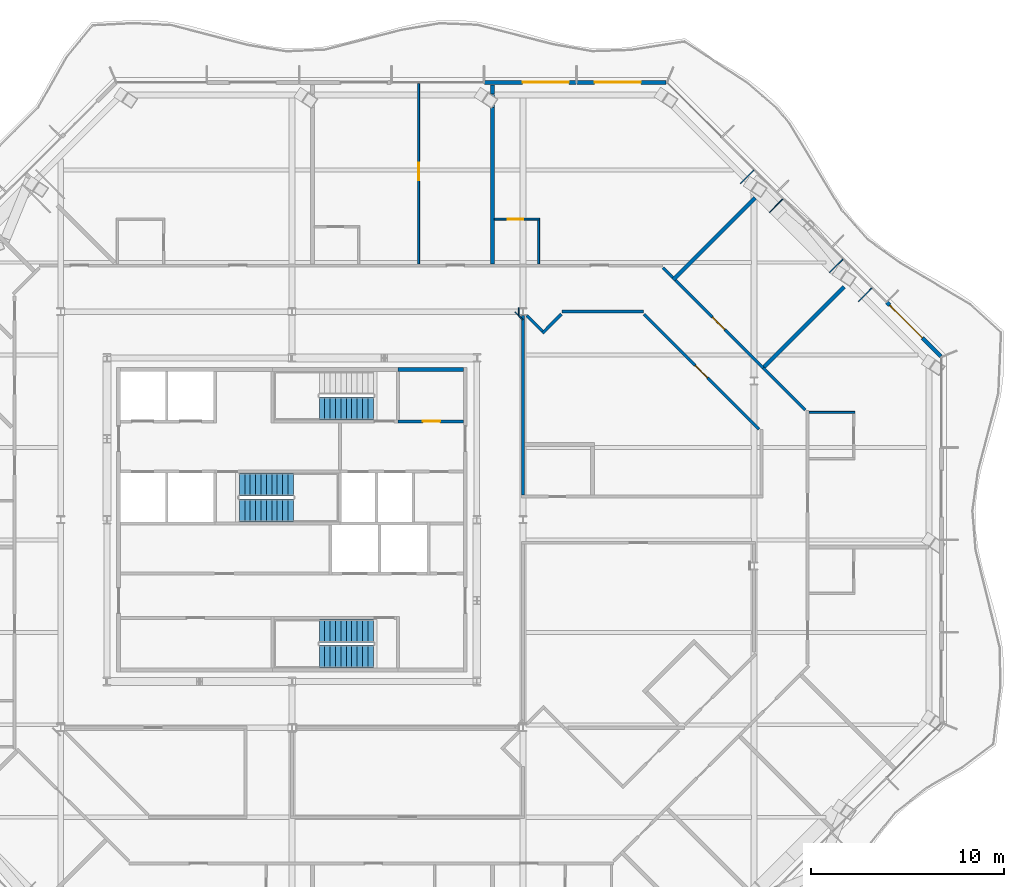
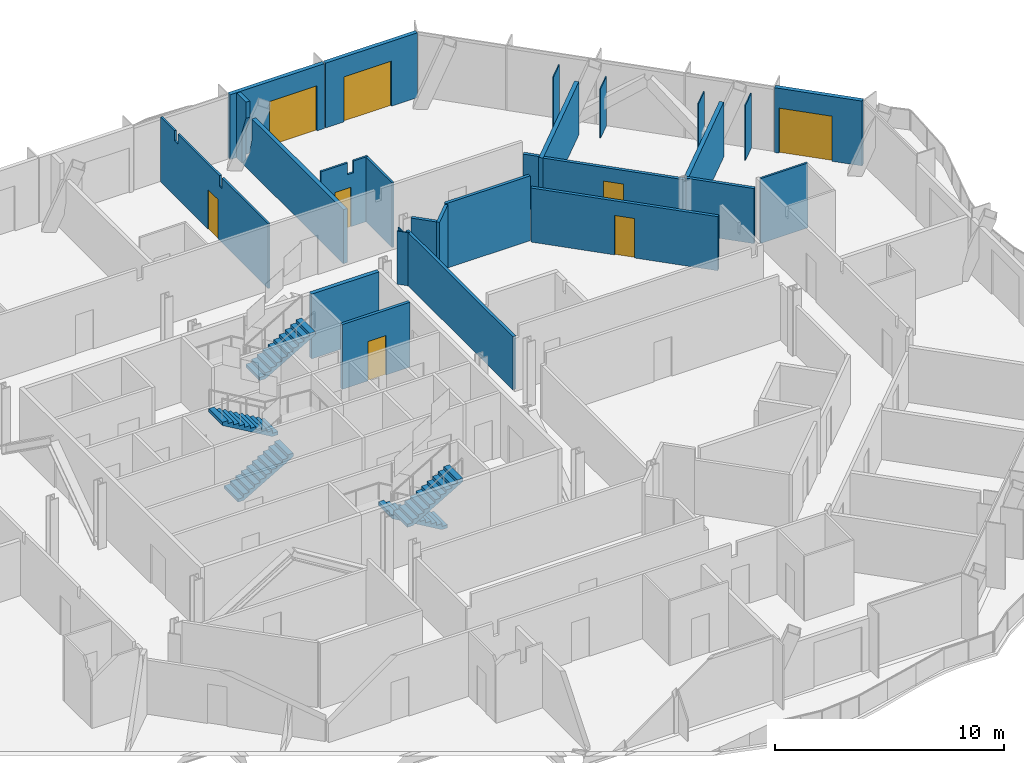
# One storey, part 12 of 19: 27 walls, 8 doors, 5 stair flights, 8 openings, 3 elements without a shape of their own.
"""IFC4 building model written with IfcOpenShell, lengths in metres."""

import ifcopenshell
import ifcopenshell.guid

model = None  # the IFC model being written
_history = None  # IfcOwnerHistory: only IFC2X3 demands one
_inside = {}  # id of a spatial element -> (the spatial element, [elements in it])
_under = {}  # id of a project, library or spatial element -> (it, [spatial elements below it])
_declared = {}  # id of a project -> (the project, [libraries it declares])
_typed = {}  # id of a type object -> (the type object, [elements of that type])
_made_of = {}  # id of a material, layer set ... -> (it, [elements and type objects made of it])


def new_model(schema):
    """Start an empty IFC model of exactly this schema.

    Asked for "IFC4X3", IfcOpenShell would pick the latest addendum, in which some entities
    have other attributes; the version numbers below select the first issue.
    IFC2X3 requires an IfcOwnerHistory on every rooted entity: one is made here for all.
    """
    global model, _history
    if schema == "IFC4X3":
        model = ifcopenshell.file(schema_version=(4, 3, 0, 0))
    else:
        model = ifcopenshell.file(schema=schema)
    _inside.clear()
    _under.clear()
    _declared.clear()
    _typed.clear()
    _made_of.clear()
    _history = None
    if model.schema == "IFC2X3":
        org = make("IfcOrganization", Name="unknown")
        user = make(
            "IfcPersonAndOrganization",
            ThePerson=make("IfcPerson", FamilyName="unknown"),
            TheOrganization=org,
        )
        app = make(
            "IfcApplication",
            ApplicationDeveloper=org,
            Version="unknown",
            ApplicationFullName="unknown",
            ApplicationIdentifier="unknown",
        )
        _history = make(
            "IfcOwnerHistory",
            OwningUser=user,
            OwningApplication=app,
            ChangeAction="ADDED",
            CreationDate=0,
        )
    return model


def make(cls, **values):
    """One entity of the class cls with the attributes given. An attribute that is None is left unset."""
    return model.create_entity(
        cls, **{name: value for name, value in values.items() if value is not None}
    )


def rooted(cls, **values):
    """An entity with a GlobalId (a new one), such as an element, a storey or a relation."""
    return make(cls, GlobalId=ifcopenshell.guid.new(), OwnerHistory=_history, **values)


def si_unit(unit_type, name, prefix=None):
    """IfcSIUnit, for example si_unit("LENGTHUNIT", "METRE", prefix="MILLI")."""
    return make("IfcSIUnit", UnitType=unit_type, Prefix=prefix, Name=name)


def assignment(units):
    """IfcUnitAssignment: the units of a project."""
    return None if units is None else make("IfcUnitAssignment", Units=units)


def point(xyz):
    """IfcCartesianPoint."""
    return None if xyz is None else make("IfcCartesianPoint", Coordinates=xyz)


def direction(xyz):
    """IfcDirection."""
    return None if xyz is None else make("IfcDirection", DirectionRatios=xyz)


def frame(location, z_axis=None, x_axis=None):
    """IfcAxis2Placement3D, a coordinate frame: its origin and axes. An axis left out is left unset."""
    return make(
        "IfcAxis2Placement3D",
        Location=point(location),
        Axis=direction(z_axis),
        RefDirection=direction(x_axis),
    )


def frame_2d(location, x_axis=None):
    """IfcAxis2Placement2D, a coordinate frame in the plane: its origin and x axis."""
    return make(
        "IfcAxis2Placement2D", Location=point(location), RefDirection=direction(x_axis)
    )


def origin():
    """The frame at (0, 0, 0) with its axes left unset."""
    return frame((0.0, 0.0, 0.0))


def place(relative_to, where):
    """IfcLocalPlacement: puts the frame where relative to a parent placement (None: the world)."""
    return make(
        "IfcLocalPlacement", PlacementRelTo=relative_to, RelativePlacement=where
    )


def context(
    kind, dimensions, precision=None, world=None, true_north=None, identifier=None
):
    """IfcGeometricRepresentationContext, for example the 3D "Model" context."""
    return make(
        "IfcGeometricRepresentationContext",
        ContextIdentifier=identifier,
        ContextType=kind,
        CoordinateSpaceDimension=dimensions,
        Precision=precision,
        WorldCoordinateSystem=world,
        TrueNorth=true_north,
    )


def subcontext(parent, identifier, kind, view, scale=None):
    """IfcGeometricRepresentationSubContext, for example "Body" below "Model"."""
    return make(
        "IfcGeometricRepresentationSubContext",
        ContextIdentifier=identifier,
        ContextType=kind,
        ParentContext=parent,
        TargetScale=scale,
        TargetView=view,
    )


def project(units=None, contexts=None):
    """IfcProject with its units and contexts."""
    return rooted(
        "IfcProject",
        Name="project",
        RepresentationContexts=contexts,
        UnitsInContext=assignment(units),
    )


def spatial(cls, under=None, at=None, **own):
    """A site, building, storey or space (cls), placed at a placement, below another one or the project."""
    s = rooted(cls, ObjectPlacement=at, **own)
    if under is not None:
        _under.setdefault(under.id(), (under, []))[1].append(s)
    return s


def polyline(points):
    """IfcPolyline through the points."""
    return make("IfcPolyline", Points=[point(p) for p in points])


def profile(cls, at=None, kind="AREA", **sizes):
    """A parametric profile (cls). Its sizes go by their IFC names, for example OverallWidth=200.0."""
    return make(cls, ProfileType=kind, Position=at, **sizes)


def rectangle(**sizes):
    """IfcRectangleProfileDef."""
    return profile("IfcRectangleProfileDef", **sizes)


def outline(outer, holes=None, kind="AREA"):
    """IfcArbitraryClosedProfileDef: a profile drawn as a closed curve; with holes, ...WithVoids."""
    if holes is None:
        return make("IfcArbitraryClosedProfileDef", ProfileType=kind, OuterCurve=outer)
    return make(
        "IfcArbitraryProfileDefWithVoids",
        ProfileType=kind,
        OuterCurve=outer,
        InnerCurves=holes,
    )


def extrude(swept, where, along, depth):
    """IfcExtrudedAreaSolid: the profile swept, set in the frame where, extruded along a direction by depth."""
    return make(
        "IfcExtrudedAreaSolid",
        SweptArea=swept,
        Position=where,
        ExtrudedDirection=direction(along),
        Depth=depth,
    )


def shape(context_of_items, identifier, shape_type, items):
    """IfcShapeRepresentation: the items that make up one representation, for example the "Body"."""
    return make(
        "IfcShapeRepresentation",
        ContextOfItems=context_of_items,
        RepresentationIdentifier=identifier,
        RepresentationType=shape_type,
        Items=items,
    )


def material(Name=None, Category=None):
    """IfcMaterial."""
    return make("IfcMaterial", Name=Name, Category=Category)


def layer(
    of_material, thickness, ventilated=None, Name=None, Category=None, Priority=None
):
    """IfcMaterialLayer: one layer of a wall or slab, of a material (None: an air gap)."""
    return make(
        "IfcMaterialLayer",
        Material=of_material,
        LayerThickness=thickness,
        IsVentilated=ventilated,
        Name=Name,
        Category=Category,
        Priority=Priority,
    )


def layer_set(layers, Name=None):
    """IfcMaterialLayerSet."""
    return make("IfcMaterialLayerSet", MaterialLayers=layers, LayerSetName=Name)


def made_of(thing, what):
    """Note that an element or type object is made of a material, layer set ...; save() writes the relation."""
    if what is not None:
        _made_of.setdefault(what.id(), (what, []))[1].append(thing)
    return thing


def type_object(cls, material=None, **own):
    """A type object (cls), such as IfcWallType, which elements share."""
    return made_of(rooted(cls, **own), material)


def element(
    cls,
    number,
    at=None,
    inside=None,
    cuts=None,
    type_object=None,
    material=None,
    context=None,
    identifier="Body",
    shape_type=None,
    held_by="IfcProductDefinitionShape",
    body=None,
    shapes=None,
    **own,
):
    """One element of the class cls, such as IfcWall. Its Tag is "e" and its number.

    at: its placement. inside: the storey or other place that contains it. cuts: it is an
    opening in that element (IfcRelVoidsElement). A single representation is given by context,
    identifier, shape_type and body (its items); several are given by shapes. held_by: the class
    of the entity that holds the representations. save() writes the other relations.
    """
    e = rooted(cls, Tag="e%d" % number, ObjectPlacement=at, **own)
    if body is not None:
        shapes = [shape(context, identifier, shape_type, body)]
    if shapes is not None:
        e.Representation = make(held_by, Representations=shapes)
    if inside is not None:
        _inside.setdefault(inside.id(), (inside, []))[1].append(e)
    if cuts is not None:
        rooted(
            "IfcRelVoidsElement", RelatingBuildingElement=cuts, RelatedOpeningElement=e
        )
    if type_object is not None:
        _typed.setdefault(type_object.id(), (type_object, []))[1].append(e)
    return made_of(e, material)


def fill(opening, filler):
    """IfcRelFillsElement: the door or window that sits in an opening."""
    return rooted(
        "IfcRelFillsElement",
        RelatingOpeningElement=opening,
        RelatedBuildingElement=filler,
    )


def aggregate(whole, parts):
    """IfcRelAggregates: a whole, such as a stair, and the parts it consists of."""
    return rooted("IfcRelAggregates", RelatingObject=whole, RelatedObjects=parts)


def save(model, path):
    """Write the relations noted so far, then the file.

    IfcRelAggregates (storeys below a building ...), IfcRelContainedInSpatialStructure (elements
    in a storey), IfcRelDefinesByType, IfcRelAssociatesMaterial and IfcRelDeclares: one each for
    every whole, place, type object, material and project.
    """
    for whole, parts in _under.values():
        aggregate(whole, parts)
    for where, things in _inside.values():
        rooted(
            "IfcRelContainedInSpatialStructure",
            RelatedElements=things,
            RelatingStructure=where,
        )
    for kind, things in _typed.values():
        rooted("IfcRelDefinesByType", RelatedObjects=things, RelatingType=kind)
    for what, things in _made_of.values():
        rooted("IfcRelAssociatesMaterial", RelatedObjects=things, RelatingMaterial=what)
    for by, libraries in _declared.values():
        rooted("IfcRelDeclares", RelatingContext=by, RelatedDefinitions=libraries)
    model.write(path)


model = new_model("IFC4")

# Units and contexts
model_context = context("Model", 3, precision=1e-05, world=origin(), true_north=direction((0.0, 1.0)))
body_context = subcontext(model_context, "Body", "Model", "MODEL_VIEW")
ifc_project = project(units=[si_unit("LENGTHUNIT", "METRE"), si_unit("AREAUNIT", "SQUARE_METRE"), si_unit("VOLUMEUNIT", "CUBIC_METRE"), si_unit("PLANEANGLEUNIT", "RADIAN"), si_unit("MASSUNIT", "GRAM", prefix="KILO")], contexts=[model_context])

# Site, building, storey
site_placement = place(None, origin())
site = spatial("IfcSite", under=ifc_project, at=site_placement, CompositionType="ELEMENT")
building_placement = place(site_placement, origin())
building = spatial("IfcBuilding", under=site, at=building_placement, Name="Cairn Pilgrim Tower", CompositionType="ELEMENT")
storey_placement = place(building_placement, frame((0.0, 0.0, 190.199951171875)))
storey = spatial("IfcBuildingStorey", under=building, at=storey_placement, Name="L48", CompositionType="ELEMENT", Elevation=190.199951171875)

# Wall, opening, door
ifc_material_1 = material(Name="Bronze anodised aluminium insulated sandwich panel with mineral wool fill", Category="aluminium")
ifc_layer_1 = layer(ifc_material_1, 0.199951171875)
ifc_layer_set_1 = layer_set([ifc_layer_1], Name="BRONZE INFILL FRAME WALL 200")
wall_type_1 = type_object("IfcWallType", Name="BRONZE INFILL FRAME WALL 200", PredefinedType="NOTDEFINED", material=ifc_layer_set_1)
wall_1_placement = place(storey_placement, frame((40.896728515625, 10.874755859375, 0.0), z_axis=(0.0, 0.0, 1.0), x_axis=(-0.707106781187, 0.707106781187, 0.0)))
wall_1 = element("IfcWall", 1, at=wall_1_placement, inside=storey, type_object=wall_type_1, Name="Bronze infill frame wall IW-NE1", PredefinedType="NOTDEFINED", context=body_context, shape_type="SweptSolid", body=[
    extrude(rectangle(XDim=3.961669921875, YDim=0.199951171875, at=frame_2d((1.98095703125, 0.0))), origin(), (0.0, 0.0, 1.0), 3.449951171875),
])
opening_1_placement = place(wall_1_placement, frame((1.361572265625, 0.0, 0.0)))
opening_1 = element("IfcOpeningElement", 2, at=opening_1_placement, cuts=wall_1, Name="Opening 4807B2", PredefinedType="OPENING", context=body_context, shape_type="SweptSolid", body=[
    extrude(rectangle(XDim=2.39990234375, YDim=2.39990234375, at=frame_2d((1.199951171875, 1.199951171875))), frame((0.0, 0.10986328125, 0.0), z_axis=(0.0, -1.0, 0.0), x_axis=(1.0, 0.0, 0.0)), (0.0, 0.0, 1.0), 0.219970703125),
])
ifc_material_2 = material(Name="Bronze anodised aluminium frame with tinted low-E glass", Category="aluminium")
door_type_1 = type_object("IfcDoorType", Name="BALCONY SLIDING DOOR 2400x2400", OperationType="DOUBLE_DOOR_SLIDING", PredefinedType="DOOR", material=ifc_material_2)
door_1_placement = place(opening_1_placement, origin())
door_1 = element("IfcDoor", 3, at=door_1_placement, inside=storey, type_object=door_type_1, Name="Balcony sliding door 4807B2", OperationType="SINGLE_SWING_LEFT", OverallHeight=2.39990234375, OverallWidth=2.39990234375, PredefinedType="DOOR", context=body_context, shape_type="SweptSolid", body=[
    extrude(rectangle(XDim=2.39990234375, YDim=2.39990234375, at=frame_2d((1.199951171875, 1.199951171875))), frame((0.0, 0.02490234375, 0.0), z_axis=(0.0, -1.0, 0.0), x_axis=(1.0, 0.0, 0.0)), (0.0, 0.0, 1.0), 0.050048828125),
])
fill(opening_1, door_1)

wall_2_placement = place(storey_placement, frame((26.63134765625, 25.10009765625, 0.0), z_axis=(0.0, 0.0, 1.0), x_axis=(-1.0, 0.0, 0.0)))
wall_2 = element("IfcWall", 4, at=wall_2_placement, inside=storey, type_object=wall_type_1, Name="Bronze infill frame wall IW-N1", PredefinedType="NOTDEFINED", context=body_context, shape_type="SweptSolid", body=[
    extrude(rectangle(XDim=4.62646484375, YDim=0.199951171875, at=frame_2d((2.313232421875, 0.0))), origin(), (0.0, 0.0, 1.0), 3.449951171875),
])
opening_2_placement = place(wall_2_placement, frame((1.308349609375, 0.0, 0.0)))
opening_2 = element("IfcOpeningElement", 5, at=opening_2_placement, cuts=wall_2, Name="Opening 4809B", PredefinedType="OPENING", context=body_context, shape_type="SweptSolid", body=[
    extrude(rectangle(XDim=2.39990234375, YDim=2.39990234375, at=frame_2d((1.199951171875, 1.199951171875))), frame((0.0, 0.10986328125, 0.0), z_axis=(0.0, -1.0, 0.0), x_axis=(1.0, 0.0, 0.0)), (0.0, 0.0, 1.0), 0.219970703125),
])
door_2_placement = place(opening_2_placement, origin())
door_2 = element("IfcDoor", 6, at=door_2_placement, inside=storey, type_object=door_type_1, Name="Balcony sliding door 4809B", OperationType="SINGLE_SWING_LEFT", OverallHeight=2.39990234375, OverallWidth=2.39990234375, PredefinedType="DOOR", context=body_context, shape_type="SweptSolid", body=[
    extrude(rectangle(XDim=2.39990234375, YDim=2.39990234375, at=frame_2d((1.199951171875, 1.199951171875))), frame((0.0, 0.02490234375, 0.0), z_axis=(0.0, -1.0, 0.0), x_axis=(1.0, 0.0, 0.0)), (0.0, 0.0, 1.0), 0.050048828125),
])
fill(opening_2, door_2)

wall_3_placement = place(storey_placement, frame((21.945068359375, 25.10009765625, 0.0), z_axis=(0.0, 0.0, 1.0), x_axis=(-1.0, 0.0, 0.0)))
wall_3 = element("IfcWall", 7, at=wall_3_placement, inside=storey, type_object=wall_type_1, Name="Bronze infill frame wall IW-N2", PredefinedType="NOTDEFINED", context=body_context, shape_type="SweptSolid", body=[
    extrude(rectangle(XDim=4.739990234375, YDim=0.199951171875, at=frame_2d((2.3701171875, 0.0))), origin(), (0.0, 0.0, 1.0), 3.449951171875),
])
opening_3_placement = place(wall_3_placement, frame((0.3701171875, 0.0, 0.0)))
opening_3 = element("IfcOpeningElement", 8, at=opening_3_placement, cuts=wall_3, Name="Opening 4809B2", PredefinedType="OPENING", context=body_context, shape_type="SweptSolid", body=[
    extrude(rectangle(XDim=2.39990234375, YDim=2.39990234375, at=frame_2d((1.199951171875, 1.199951171875))), frame((0.0, 0.10986328125, 0.0), z_axis=(0.0, -1.0, 0.0), x_axis=(1.0, 0.0, 0.0)), (0.0, 0.0, 1.0), 0.219970703125),
])
door_3_placement = place(opening_3_placement, origin())
door_3 = element("IfcDoor", 9, at=door_3_placement, inside=storey, type_object=door_type_1, Name="Balcony sliding door 4809B2", OperationType="SINGLE_SWING_LEFT", OverallHeight=2.39990234375, OverallWidth=2.39990234375, PredefinedType="DOOR", context=body_context, shape_type="SweptSolid", body=[
    extrude(rectangle(XDim=2.39990234375, YDim=2.39990234375, at=frame_2d((1.199951171875, 1.199951171875))), frame((0.0, 0.02490234375, 0.0), z_axis=(0.0, -1.0, 0.0), x_axis=(1.0, 0.0, 0.0)), (0.0, 0.0, 1.0), 0.050048828125),
])
fill(opening_3, door_3)

# Wall
ifc_material_3 = material(Name="Concrete C32/40", Category="concrete")
ifc_layer_2 = layer(ifc_material_3, 0.199951171875)
ifc_layer_set_2 = layer_set([ifc_layer_2], Name="CORE OUTER WALL 200 EI 120")
wall_type_2 = type_object("IfcWallType", Name="CORE OUTER WALL 200 EI 120", PredefinedType="SOLIDWALL", material=ifc_layer_set_2)
wall_4_placement = place(storey_placement, frame((12.699951171875, 10.199951171875, 0.0), z_axis=(0.0, 0.0, 1.0), x_axis=(1.0, 0.0, 0.0)))
element("IfcWall", 10, at=wall_4_placement, inside=storey, type_object=wall_type_2, Name="CW:L48:H12-3", PredefinedType="SOLIDWALL", context=body_context, shape_type="SweptSolid", body=[
    extrude(rectangle(XDim=3.400146484375, YDim=0.199951171875, at=frame_2d((1.7001953125, 0.0))), origin(), (0.0, 0.0, 1.0), 3.449951171875),
])

# Wall, opening, door
ifc_layer_3 = layer(ifc_material_3, 0.14990234375)
ifc_layer_set_3 = layer_set([ifc_layer_3], Name="CORE SHAFT WALL 150 EI 120")
wall_type_3 = type_object("IfcWallType", Name="CORE SHAFT WALL 150 EI 120", PredefinedType="SOLIDWALL", material=ifc_layer_set_3)
wall_5_placement = place(storey_placement, frame((12.699951171875, 7.5, 0.0), z_axis=(0.0, 0.0, 1.0), x_axis=(1.0, 0.0, 0.0)))
wall_5 = element("IfcWall", 11, at=wall_5_placement, inside=storey, type_object=wall_type_3, Name="CW:L48:H11-2", PredefinedType="SOLIDWALL", context=body_context, shape_type="SweptSolid", body=[
    extrude(rectangle(XDim=3.400146484375, YDim=0.14990234375, at=frame_2d((1.7001953125, 0.0))), origin(), (0.0, 0.0, 1.0), 3.449951171875),
])
opening_4_placement = place(wall_5_placement, frame((1.300048828125, 0.0, 0.0)))
opening_4 = element("IfcOpeningElement", 12, at=opening_4_placement, cuts=wall_5, Name="Opening RD-R4E", PredefinedType="OPENING", context=body_context, shape_type="SweptSolid", body=[
    extrude(rectangle(XDim=0.89990234375, YDim=2.10009765625, at=frame_2d((0.449951171875, 1.050048828125))), frame((0.0, 0.0849609375, 0.0), z_axis=(0.0, -1.0, 0.0), x_axis=(1.0, 0.0, 0.0)), (0.0, 0.0, 1.0), 0.169921875),
])
ifc_material_4 = material(Name="Painted steel", Category="steel")
door_type_2 = type_object("IfcDoorType", Name="SERVICE ROOM DOOR 900x2100", OperationType="SINGLE_SWING_LEFT", PredefinedType="DOOR", material=ifc_material_4)
door_4_placement = place(opening_4_placement, origin())
door_4 = element("IfcDoor", 13, at=door_4_placement, inside=storey, type_object=door_type_2, Name="RD-R4E", OperationType="SINGLE_SWING_RIGHT", OverallHeight=2.10009765625, OverallWidth=0.89990234375, PredefinedType="DOOR", context=body_context, shape_type="SweptSolid", body=[
    extrude(rectangle(XDim=0.89990234375, YDim=2.10009765625, at=frame_2d((0.449951171875, 1.050048828125))), frame((0.0, 0.02490234375, 0.0), z_axis=(0.0, -1.0, 0.0), x_axis=(1.0, 0.0, 0.0)), (0.0, 0.0, 1.0), 0.050048828125),
])
fill(opening_4, door_4)

# Wall
ifc_material_5 = material(Name="Gypsum partition")
ifc_layer_4 = layer(ifc_material_5, 0.10009765625)
ifc_layer_set_4 = layer_set([ifc_layer_4], Name="PARTITION 100 DRYWALL")
wall_type_4 = type_object("IfcWallType", Name="PARTITION 100 DRYWALL", PredefinedType="PARTITIONING", material=ifc_layer_set_4)
wall_6_placement = place(storey_placement, frame((34.050048828125, 7.968017578125, 0.0), z_axis=(0.0, 0.0, 1.0), x_axis=(1.0, 0.0, 0.0)))
element("IfcWall", 14, at=wall_6_placement, inside=storey, type_object=wall_type_4, Name="PARTITION W068", PredefinedType="PARTITIONING", context=body_context, shape_type="SweptSolid", body=[
    extrude(rectangle(XDim=2.375, YDim=0.10009765625, at=frame_2d((1.1875, 0.0))), origin(), (0.0, 0.0, 1.0), 3.449951171875),
])

# Wall, opening, door
wall_7_placement = place(storey_placement, frame((13.779052734375, 15.675048828125, 0.0), z_axis=(0.0, 0.0, 1.0), x_axis=(0.0, 1.0, 0.0)))
wall_7 = element("IfcWall", 15, at=wall_7_placement, inside=storey, type_object=wall_type_4, Name="PARTITION W087", PredefinedType="PARTITIONING", context=body_context, shape_type="SweptSolid", body=[
    extrude(outline(polyline([(0.0, 0.0), (9.3779296875, 0.0), (9.3779296875, 3.449951171875), (8.175048828125, 3.449951171875), (8.173095703125, 2.929931640625), (7.875, 2.929931640625), (7.873046875, 3.449951171875), (4.22998046875, 3.449951171875), (4.22802734375, 2.880126953125), (4.02001953125, 2.880126953125), (4.01806640625, 3.449951171875), (0.0, 3.449951171875), (0.0, 0.0)])), frame((0.0, 0.050048828125, 0.0), z_axis=(0.0, -1.0, 0.0), x_axis=(1.0, 0.0, 0.0)), (0.0, 0.0, 1.0), 0.10009765625),
])
opening_5_placement = place(wall_7_placement, frame((4.35009765625, 0.0, 0.0)))
opening_5 = element("IfcOpeningElement", 16, at=opening_5_placement, cuts=wall_7, Name="Opening 4810C", PredefinedType="OPENING", context=body_context, shape_type="SweptSolid", body=[
    extrude(rectangle(XDim=0.89990234375, YDim=2.10009765625, at=frame_2d((0.449951171875, 1.050048828125))), frame((0.0, 0.06005859375, 0.0), z_axis=(0.0, -1.0, 0.0), x_axis=(1.0, 0.0, 0.0)), (0.0, 0.0, 1.0), 0.1201171875),
])
ifc_material_6 = material(Name="Timber door leaf", Category="wood")
door_type_3 = type_object("IfcDoorType", Name="SERVICE DOOR 900x2100", OperationType="NOTDEFINED", PredefinedType="DOOR", material=ifc_material_6)
door_5_placement = place(opening_5_placement, frame((0.89990234375, 0.0, 0.0), z_axis=(0.0, 0.0, 1.0), x_axis=(-1.0, 0.0, 0.0)))
door_5 = element("IfcDoor", 17, at=door_5_placement, inside=storey, type_object=door_type_3, Name="DOOR 4810C", OperationType="SINGLE_SWING_LEFT", OverallHeight=2.10009765625, OverallWidth=0.89990234375, PredefinedType="DOOR", context=body_context, shape_type="SweptSolid", body=[
    extrude(rectangle(XDim=0.89990234375, YDim=2.10009765625, at=frame_2d((0.449951171875, 1.050048828125))), frame((0.0, 0.02490234375, 0.0), z_axis=(0.0, -1.0, 0.0), x_axis=(1.0, 0.0, 0.0)), (0.0, 0.0, 1.0), 0.050048828125),
])
fill(opening_5, door_5)

# Wall
wall_8_placement = place(storey_placement, frame((20.012939453125, 15.675048828125, 0.0), z_axis=(0.0, 0.0, 1.0), x_axis=(0.0, 1.0, 0.0)))
element("IfcWall", 18, at=wall_8_placement, inside=storey, type_object=wall_type_4, Name="PARTITION W089", PredefinedType="PARTITIONING", context=body_context, shape_type="SweptSolid", body=[
    extrude(rectangle(XDim=2.27490234375, YDim=0.10009765625, at=frame_2d((1.137451171875, 0.0))), origin(), (0.0, 0.0, 1.0), 3.449951171875),
])

# Wall, opening, door
wall_9_placement = place(storey_placement, frame((17.712890625, 18.0, 0.0), z_axis=(0.0, 0.0, 1.0), x_axis=(1.0, 0.0, 0.0)))
wall_9 = element("IfcWall", 19, at=wall_9_placement, inside=storey, type_object=wall_type_4, Name="PARTITION W092", PredefinedType="PARTITIONING", context=body_context, shape_type="SweptSolid", body=[
    extrude(outline(polyline([(0.0, 0.0), (2.35009765625, 0.0), (2.35009765625, 3.449951171875), (1.636962890625, 3.449951171875), (1.635009765625, 2.830078125), (1.3369140625, 2.830078125), (1.3349609375, 3.449951171875), (0.0, 3.449951171875), (0.0, 0.0)])), frame((0.0, 0.050048828125, 0.0), z_axis=(0.0, -1.0, 0.0), x_axis=(1.0, 0.0, 0.0)), (0.0, 0.0, 1.0), 0.10009765625),
])
opening_6_placement = place(wall_9_placement, frame((0.699951171875, 0.0, 0.0)))
opening_6 = element("IfcOpeningElement", 20, at=opening_6_placement, cuts=wall_9, Name="Opening 4809A", PredefinedType="OPENING", context=body_context, shape_type="SweptSolid", body=[
    extrude(rectangle(XDim=0.800048828125, YDim=2.10009765625, at=frame_2d((0.39990234375, 1.050048828125))), frame((0.0, 0.06005859375, 0.0), z_axis=(0.0, -1.0, 0.0), x_axis=(1.0, 0.0, 0.0)), (0.0, 0.0, 1.0), 0.1201171875),
])
door_type_4 = type_object("IfcDoorType", Name="WC DOOR 800x2100", OperationType="NOTDEFINED", PredefinedType="DOOR", material=ifc_material_6)
door_6_placement = place(opening_6_placement, origin())
door_6 = element("IfcDoor", 21, at=door_6_placement, inside=storey, type_object=door_type_4, Name="DOOR 4809A", OperationType="SINGLE_SWING_RIGHT", OverallHeight=2.10009765625, OverallWidth=0.800048828125, PredefinedType="DOOR", context=body_context, shape_type="SweptSolid", body=[
    extrude(rectangle(XDim=0.800048828125, YDim=2.10009765625, at=frame_2d((0.39990234375, 1.050048828125))), frame((0.0, 0.02490234375, 0.0), z_axis=(0.0, -1.0, 0.0), x_axis=(1.0, 0.0, 0.0)), (0.0, 0.0, 1.0), 0.050048828125),
])
fill(opening_6, door_6)

# Wall
ifc_layer_5 = layer(ifc_material_5, 0.14990234375)
ifc_layer_set_5 = layer_set([ifc_layer_5], Name="PARTITION 150 DRYWALL EI 60")
wall_type_5 = type_object("IfcWallType", Name="PARTITION 150 DRYWALL EI 60", PredefinedType="PARTITIONING", material=ifc_layer_set_5)
wall_10_placement = place(storey_placement, frame((19.199951171875, 3.675048828125, 0.0), z_axis=(0.0, 0.0, 1.0), x_axis=(0.0, 1.0, 0.0)))
element("IfcWall", 22, at=wall_10_placement, inside=storey, type_object=wall_type_5, Name="PARTITION W060", PredefinedType="PARTITIONING", context=body_context, shape_type="SweptSolid", body=[
    extrude(rectangle(XDim=9.328369140625, YDim=0.14990234375, at=frame_2d((4.6640625, 0.0))), origin(), (0.0, 0.0, 1.0), 2.830078125),
])

# Wall, opening, door
wall_11_placement = place(storey_placement, frame((31.447021484375, 7.10107421875, 0.0), z_axis=(0.0, 0.0, 1.0), x_axis=(-0.707106781187, 0.707106781187, 0.0)))
wall_11 = element("IfcWall", 23, at=wall_11_placement, inside=storey, type_object=wall_type_5, Name="PARTITION W066", PredefinedType="PARTITIONING", context=body_context, shape_type="SweptSolid", body=[
    extrude(rectangle(XDim=8.444091796875, YDim=0.14990234375, at=frame_2d((4.22216796875, 0.0))), origin(), (0.0, 0.0, 1.0), 2.880126953125),
])
opening_7_placement = place(wall_11_placement, frame((3.77197265625, 0.0, 0.0)))
opening_7 = element("IfcOpeningElement", 24, at=opening_7_placement, cuts=wall_11, Name="Opening 4824", PredefinedType="OPENING", context=body_context, shape_type="SweptSolid", body=[
    extrude(rectangle(XDim=0.89990234375, YDim=2.10009765625, at=frame_2d((0.449951171875, 1.050048828125))), frame((0.0, 0.0849609375, 0.0), z_axis=(0.0, -1.0, 0.0), x_axis=(1.0, 0.0, 0.0)), (0.0, 0.0, 1.0), 0.169921875),
])
door_type_5 = type_object("IfcDoorType", Name="SERVICE DOOR 900x2100 FD30S", OperationType="NOTDEFINED", PredefinedType="DOOR", material=ifc_material_6)
door_7_placement = place(opening_7_placement, origin())
door_7 = element("IfcDoor", 25, at=door_7_placement, inside=storey, type_object=door_type_5, Name="DOOR 4824", OperationType="SINGLE_SWING_RIGHT", OverallHeight=2.10009765625, OverallWidth=0.89990234375, PredefinedType="DOOR", context=body_context, shape_type="SweptSolid", body=[
    extrude(rectangle(XDim=0.89990234375, YDim=2.10009765625, at=frame_2d((0.449951171875, 1.050048828125))), frame((0.0, 0.02490234375, 0.0), z_axis=(0.0, -1.0, 0.0), x_axis=(1.0, 0.0, 0.0)), (0.0, 0.0, 1.0), 0.050048828125),
])
fill(opening_7, door_7)

# Wall
wall_12_placement = place(storey_placement, frame((33.846923828125, 8.095947265625, 0.0), z_axis=(0.0, 0.0, 1.0), x_axis=(-0.707067221659, 0.707146338501, 0.0)))
element("IfcWall", 26, at=wall_12_placement, inside=storey, type_object=wall_type_5, Name="PARTITION W069", PredefinedType="PARTITIONING", context=body_context, shape_type="SweptSolid", body=[
    extrude(rectangle(XDim=3.0859375, YDim=0.14990234375, at=frame_2d((1.54296875, 0.0))), origin(), (0.0, 0.0, 1.0), 2.929931640625),
])

# Wall, opening, door
wall_13_placement = place(storey_placement, frame((31.6650390625, 10.278076171875, 0.0), z_axis=(0.0, 0.0, 1.0), x_axis=(-0.707201548562, 0.707012001109, 0.0)))
wall_13 = element("IfcWall", 27, at=wall_13_placement, inside=storey, type_object=wall_type_5, Name="PARTITION W071", PredefinedType="PARTITIONING", context=body_context, shape_type="SweptSolid", body=[
    extrude(rectangle(XDim=6.440185546875, YDim=0.14990234375, at=frame_2d((3.22021484375, 0.0))), origin(), (0.0, 0.0, 1.0), 2.830078125),
])
opening_8_placement = place(wall_13_placement, frame((2.820068359375, 0.0, 0.0)))
opening_8 = element("IfcOpeningElement", 28, at=opening_8_placement, cuts=wall_13, Name="Opening 4808", PredefinedType="OPENING", context=body_context, shape_type="SweptSolid", body=[
    extrude(rectangle(XDim=0.89990234375, YDim=2.10009765625, at=frame_2d((0.449951171875, 1.050048828125))), frame((0.0, 0.0849609375, 0.0), z_axis=(0.0, -1.0, 0.0), x_axis=(1.0, 0.0, 0.0)), (0.0, 0.0, 1.0), 0.169921875),
])
door_8_placement = place(opening_8_placement, frame((0.89990234375, 0.0, 0.0), z_axis=(0.0, 0.0, 1.0), x_axis=(-1.0, 0.0, 0.0)))
door_8 = element("IfcDoor", 29, at=door_8_placement, inside=storey, type_object=door_type_5, Name="DOOR 4808", OperationType="SINGLE_SWING_RIGHT", OverallHeight=2.10009765625, OverallWidth=0.89990234375, PredefinedType="DOOR", context=body_context, shape_type="SweptSolid", body=[
    extrude(rectangle(XDim=0.89990234375, YDim=2.10009765625, at=frame_2d((0.449951171875, 1.050048828125))), frame((0.0, 0.02490234375, 0.0), z_axis=(0.0, -1.0, 0.0), x_axis=(1.0, 0.0, 0.0)), (0.0, 0.0, 1.0), 0.050048828125),
])
fill(opening_8, door_8)

# Walls
wall_14_placement = place(storey_placement, frame((20.2080078125, 12.0859375, 0.0), z_axis=(0.0, 0.0, 1.0), x_axis=(0.706756381459, 0.707457007363, 0.0)))
element("IfcWall", 30, at=wall_14_placement, inside=storey, type_object=wall_type_5, Name="PARTITION W073", PredefinedType="PARTITIONING", context=body_context, shape_type="SweptSolid", body=[
    extrude(rectangle(XDim=1.393798828125, YDim=0.14990234375, at=frame_2d((0.69677734375, 0.0))), origin(), (0.0, 0.0, 1.0), 3.449951171875),
])
wall_15_placement = place(storey_placement, frame((20.2080078125, 12.192138671875, 0.0), z_axis=(0.0, 0.0, 1.0), x_axis=(-0.70721334539, 0.707000200921, 0.0)))
element("IfcWall", 31, at=wall_15_placement, inside=storey, type_object=wall_type_5, Name="PARTITION W074", PredefinedType="PARTITIONING", context=body_context, shape_type="SweptSolid", body=[
    extrude(rectangle(XDim=1.1455078125, YDim=0.14990234375, at=frame_2d((0.57275390625, 0.0))), origin(), (0.0, 0.0, 1.0), 3.449951171875),
])
wall_16_placement = place(storey_placement, frame((21.215087890625, 13.199951171875, 0.0), z_axis=(0.0, 0.0, 1.0), x_axis=(1.0, 0.0, 0.0)))
element("IfcWall", 32, at=wall_16_placement, inside=storey, type_object=wall_type_5, Name="PARTITION W075", PredefinedType="PARTITIONING", context=body_context, shape_type="SweptSolid", body=[
    extrude(rectangle(XDim=4.239013671875, YDim=0.14990234375, at=frame_2d((2.11962890625, 0.0))), origin(), (0.0, 0.0, 1.0), 3.449951171875),
])
wall_17_placement = place(storey_placement, frame((26.96923828125, 14.972900390625, 0.0), z_axis=(0.0, 0.0, 1.0), x_axis=(-0.706760584538, 0.707452808421, 0.0)))
element("IfcWall", 33, at=wall_17_placement, inside=storey, type_object=wall_type_5, Name="PARTITION W078", PredefinedType="PARTITIONING", context=body_context, shape_type="SweptSolid", body=[
    extrude(rectangle(XDim=0.705322265625, YDim=0.14990234375, at=frame_2d((0.3525390625, 0.0))), origin(), (0.0, 0.0, 1.0), 2.880126953125),
])
ifc_layer_6 = layer(ifc_material_5, 0.050048828125)
ifc_layer_set_6 = layer_set([ifc_layer_6], Name="PARTITION 50 DRYWALL EI 60")
wall_type_6 = type_object("IfcWallType", Name="PARTITION 50 DRYWALL EI 60", PredefinedType="PARTITIONING", material=ifc_layer_set_6)
wall_18_placement = place(storey_placement, frame((18.9755859375, 13.00341796875, 0.0), z_axis=(0.0, 0.0, 1.0), x_axis=(0.0, 1.0, 0.0)))
element("IfcWall", 34, at=wall_18_placement, inside=storey, type_object=wall_type_6, Name="COLUMN CASING WC15", PredefinedType="PARTITIONING", context=body_context, shape_type="SweptSolid", body=[
    extrude(rectangle(XDim=0.39306640625, YDim=0.050048828125, at=frame_2d((0.196533203125, 0.0))), origin(), (0.0, 0.0, 1.0), 2.830078125),
])
wall_19_placement = place(storey_placement, frame((35.11669921875, 15.23046875, 0.0), z_axis=(0.0, 0.0, 1.0), x_axis=(0.707106781187, 0.707106781187, 0.0)))
element("IfcWall", 35, at=wall_19_placement, inside=storey, type_object=wall_type_6, Name="COLUMN CASING WC16", PredefinedType="PARTITIONING", context=body_context, shape_type="SweptSolid", body=[
    extrude(rectangle(XDim=0.979248046875, YDim=0.050048828125, at=frame_2d((0.48974609375, 0.0))), origin(), (0.0, 0.0, 1.0), 2.630126953125),
])
wall_20_placement = place(storey_placement, frame((36.6171875, 13.72998046875, 0.0), z_axis=(0.0, 0.0, 1.0), x_axis=(0.706982125961, 0.70723141444, 0.0)))
element("IfcWall", 36, at=wall_20_placement, inside=storey, type_object=wall_type_6, Name="COLUMN CASING WC17", PredefinedType="PARTITIONING", context=body_context, shape_type="SweptSolid", body=[
    extrude(rectangle(XDim=0.979248046875, YDim=0.050048828125, at=frame_2d((0.48974609375, 0.0))), origin(), (0.0, 0.0, 1.0), 2.929931640625),
])
wall_21_placement = place(storey_placement, frame((19.182373046875, 12.786376953125, 0.0), z_axis=(0.0, 0.0, 1.0), x_axis=(-0.707106781187, 0.707106781187, 0.0)))
element("IfcWall", 37, at=wall_21_placement, inside=storey, type_object=wall_type_6, Name="COLUMN CASING WC20", PredefinedType="PARTITIONING", context=body_context, shape_type="SweptSolid", body=[
    extrude(rectangle(XDim=0.56005859375, YDim=0.050048828125, at=frame_2d((0.280029296875, 0.0))), origin(), (0.0, 0.0, 1.0), 2.830078125),
])
wall_22_placement = place(storey_placement, frame((30.492431640625, 19.854736328125, 0.0), z_axis=(0.0, 0.0, 1.0), x_axis=(0.70723141444, 0.706982125961, 0.0)))
element("IfcWall", 38, at=wall_22_placement, inside=storey, type_object=wall_type_6, Name="COLUMN CASING WC21", PredefinedType="PARTITIONING", context=body_context, shape_type="SweptSolid", body=[
    extrude(rectangle(XDim=0.979248046875, YDim=0.050048828125, at=frame_2d((0.48974609375, 0.0))), origin(), (0.0, 0.0, 1.0), 2.880126953125),
])
wall_23_placement = place(storey_placement, frame((31.992919921875, 18.354248046875, 0.0), z_axis=(0.0, 0.0, 1.0), x_axis=(0.70723141444, 0.706982125961, 0.0)))
element("IfcWall", 39, at=wall_23_placement, inside=storey, type_object=wall_type_6, Name="COLUMN CASING WC22", PredefinedType="PARTITIONING", context=body_context, shape_type="SweptSolid", body=[
    extrude(rectangle(XDim=0.979248046875, YDim=0.050048828125, at=frame_2d((0.48974609375, 0.0))), origin(), (0.0, 0.0, 1.0), 2.630126953125),
])
ifc_layer_7 = layer(ifc_material_5, 0.199951171875)
ifc_layer_set_7 = layer_set([ifc_layer_7], Name="SHAFT WALL 200 GYPSUM EI 60")
wall_type_7 = type_object("IfcWallType", Name="SHAFT WALL 200 GYPSUM EI 60", PredefinedType="PARTITIONING", material=ifc_layer_set_7)
wall_24_placement = place(storey_placement, frame((31.718017578125, 10.3310546875, 0.0), z_axis=(0.0, 0.0, 1.0), x_axis=(0.707127584869, 0.707085976892, 0.0)))
element("IfcWall", 40, at=wall_24_placement, inside=storey, type_object=wall_type_7, Name="PARTITION W070", PredefinedType="PARTITIONING", context=body_context, shape_type="SweptSolid", body=[
    extrude(rectangle(XDim=5.86767578125, YDim=0.199951171875, at=frame_2d((2.933837890625, 0.0))), origin(), (0.0, 0.0, 1.0), 2.929931640625),
])
wall_25_placement = place(storey_placement, frame((26.987060546875, 14.84912109375, 0.0), z_axis=(0.0, 0.0, 1.0), x_axis=(0.707167629385, 0.707045927751, 0.0)))
element("IfcWall", 41, at=wall_25_placement, inside=storey, type_object=wall_type_7, Name="PARTITION W077", PredefinedType="PARTITIONING", context=body_context, shape_type="SweptSolid", body=[
    extrude(rectangle(XDim=6.01806640625, YDim=0.199951171875, at=frame_2d((3.009033203125, 0.0))), origin(), (0.0, 0.0, 1.0), 2.830078125),
])
wall_26_placement = place(storey_placement, frame((17.613037109375, 15.675048828125, 0.0), z_axis=(0.0, 0.0, 1.0), x_axis=(0.0, 1.0, 0.0)))
element("IfcWall", 42, at=wall_26_placement, inside=storey, type_object=wall_type_7, Name="PARTITION W088", PredefinedType="PARTITIONING", context=body_context, shape_type="SweptSolid", body=[
    extrude(outline(polyline([(0.0, 0.0), (8.789306640625, 0.0), (8.205078125, 0.862548828125), (7.972900390625, 1.72509765625), (7.972900390625, 2.587646484375), (7.972900390625, 2.880126953125), (0.0, 2.880126953125), (0.0, 2.587646484375), (0.0, 1.72509765625), (0.0, 0.862548828125), (0.0, 0.0)])), frame((0.0, 0.10009765625, 0.0), z_axis=(0.0, -1.0, 0.0), x_axis=(1.0, 0.0, 0.0)), (0.0, 0.0, 1.0), 0.199951171875),
])
wall_27_placement = place(storey_placement, frame((17.613037109375, 24.167724609375, 0.0), z_axis=(0.0, 0.0, 1.0), x_axis=(0.0, 1.0, 0.0)))
element("IfcWall", 43, at=wall_27_placement, inside=storey, type_object=wall_type_7, Name="PARTITION W095", PredefinedType="PARTITIONING", context=body_context, shape_type="SweptSolid", body=[
    extrude(outline(polyline([(0.334716796875, 0.0), (0.80224609375, 0.0), (0.80224609375, 0.862548828125), (0.80224609375, 1.72509765625), (0.80224609375, 2.587646484375), (0.80224609375, 3.449951171875), (0.0, 3.449951171875), (0.0, 2.587646484375), (0.319091796875, 1.72509765625), (0.334716796875, 0.862548828125), (0.334716796875, 0.0)])), frame((0.0, 0.10009765625, 0.0), z_axis=(0.0, -1.0, 0.0), x_axis=(1.0, 0.0, 0.0)), (0.0, 0.0, 1.0), 0.199951171875),
])

# Stair, stair flights
stair_type = type_object("IfcStairType", Name="EXIT STAIR 1200", PredefinedType="HALF_TURN_STAIR", material=ifc_material_3)
stair_1_placement = place(storey_placement, origin())
stair_1 = element("IfcStair", 44, at=stair_1_placement, inside=storey, type_object=stair_type, Name="L48 Exit Stair A", PredefinedType="HALF_TURN_STAIR")
stair_flight_type = type_object("IfcStairFlightType", Name="STAIR FLIGHT 1200", PredefinedType="STRAIGHT", material=ifc_material_3)
stair_flight_1_placement = place(storey_placement, frame((11.425048828125, -3.375, 0.0), z_axis=(0.0, 0.0, 1.0), x_axis=(-1.0, 0.0, 0.0)))
stair_flight_1 = element("IfcStairFlight", 45, at=stair_flight_1_placement, type_object=stair_flight_type, Name="ST-A flight 1", NumberOfRisers=11, NumberOfTreads=10, PredefinedType="STRAIGHT", RiserHeight=0.163636364, TreadLength=0.28, context=body_context, shape_type="SweptSolid", body=[
    extrude(outline(polyline([(0.0, 0.0), (0.0, 0.16357421875), (0.280029296875, 0.16357421875), (0.280029296875, 0.327392578125), (0.56005859375, 0.327392578125), (0.56005859375, 0.490966796875), (0.840087890625, 0.490966796875), (0.840087890625, 0.654541015625), (1.1201171875, 0.654541015625), (1.1201171875, 0.818115234375), (1.39990234375, 0.818115234375), (1.39990234375, 0.98193359375), (1.679931640625, 0.98193359375), (1.679931640625, 1.1455078125), (1.9599609375, 1.1455078125), (1.9599609375, 1.30908203125), (2.239990234375, 1.30908203125), (2.239990234375, 1.47265625), (2.52001953125, 1.47265625), (2.52001953125, 1.636474609375), (2.800048828125, 1.636474609375), (2.800048828125, 1.800048828125), (2.800048828125, 1.462646484375), (0.297119140625, 0.0), (0.0, 0.0)])), frame((0.0, 0.60009765625, 0.0), z_axis=(0.0, -1.0, 0.0), x_axis=(1.0, 0.0, 0.0)), (0.0, 0.0, 1.0), 1.199951171875),
])
stair_flight_2_placement = place(storey_placement, frame((8.625, -4.699951171875, 1.800048828125), z_axis=(0.0, 0.0, 1.0), x_axis=(1.0, 0.0, 0.0)))
stair_flight_2 = element("IfcStairFlight", 46, at=stair_flight_2_placement, type_object=stair_flight_type, Name="ST-A flight 2", NumberOfRisers=11, NumberOfTreads=10, PredefinedType="STRAIGHT", RiserHeight=0.163636364, TreadLength=0.28, context=body_context, shape_type="SweptSolid", body=[
    extrude(outline(polyline([(0.0, 0.0), (0.0, 0.16357421875), (0.280029296875, 0.16357421875), (0.280029296875, 0.327392578125), (0.56005859375, 0.327392578125), (0.56005859375, 0.490966796875), (0.840087890625, 0.490966796875), (0.840087890625, 0.654541015625), (1.1201171875, 0.654541015625), (1.1201171875, 0.818115234375), (1.39990234375, 0.818115234375), (1.39990234375, 0.98193359375), (1.679931640625, 0.98193359375), (1.679931640625, 1.1455078125), (1.9599609375, 1.1455078125), (1.9599609375, 1.30908203125), (2.239990234375, 1.30908203125), (2.239990234375, 1.47265625), (2.52001953125, 1.47265625), (2.52001953125, 1.636474609375), (2.800048828125, 1.636474609375), (2.800048828125, 1.800048828125), (2.800048828125, 1.462646484375), (0.297119140625, 0.0), (0.0, 0.0)])), frame((0.0, 0.60009765625, 0.0), z_axis=(0.0, -1.0, 0.0), x_axis=(1.0, 0.0, 0.0)), (0.0, 0.0, 1.0), 1.199951171875),
])
aggregate(stair_1, [stair_flight_1, stair_flight_2])

stair_2_placement = place(storey_placement, origin())
stair_2 = element("IfcStair", 47, at=stair_2_placement, inside=storey, type_object=stair_type, Name="L48 Exit Stair B", PredefinedType="HALF_TURN_STAIR")
stair_flight_3_placement = place(storey_placement, frame((4.47509765625, 2.875, 0.0), z_axis=(0.0, 0.0, 1.0), x_axis=(1.0, 0.0, 0.0)))
stair_flight_3 = element("IfcStairFlight", 48, at=stair_flight_3_placement, type_object=stair_flight_type, Name="ST-B flight 1", NumberOfRisers=11, NumberOfTreads=10, PredefinedType="STRAIGHT", RiserHeight=0.163636364, TreadLength=0.28, context=body_context, shape_type="SweptSolid", body=[
    extrude(outline(polyline([(0.0, 0.0), (0.0, 0.16357421875), (0.280029296875, 0.16357421875), (0.280029296875, 0.327392578125), (0.56005859375, 0.327392578125), (0.56005859375, 0.490966796875), (0.840087890625, 0.490966796875), (0.840087890625, 0.654541015625), (1.1201171875, 0.654541015625), (1.1201171875, 0.818115234375), (1.39990234375, 0.818115234375), (1.39990234375, 0.98193359375), (1.679931640625, 0.98193359375), (1.679931640625, 1.1455078125), (1.9599609375, 1.1455078125), (1.9599609375, 1.30908203125), (2.239990234375, 1.30908203125), (2.239990234375, 1.47265625), (2.52001953125, 1.47265625), (2.52001953125, 1.636474609375), (2.800048828125, 1.636474609375), (2.800048828125, 1.800048828125), (2.800048828125, 1.462646484375), (0.297119140625, 0.0), (0.0, 0.0)])), frame((0.0, 0.60009765625, 0.0), z_axis=(0.0, -1.0, 0.0), x_axis=(1.0, 0.0, 0.0)), (0.0, 0.0, 1.0), 1.199951171875),
])
stair_flight_4_placement = place(storey_placement, frame((7.27490234375, 4.22509765625, 1.800048828125), z_axis=(0.0, 0.0, 1.0), x_axis=(-1.0, 0.0, 0.0)))
stair_flight_4 = element("IfcStairFlight", 49, at=stair_flight_4_placement, type_object=stair_flight_type, Name="ST-B flight 2", NumberOfRisers=11, NumberOfTreads=10, PredefinedType="STRAIGHT", RiserHeight=0.163636364, TreadLength=0.28, context=body_context, shape_type="SweptSolid", body=[
    extrude(outline(polyline([(0.0, 0.0), (0.0, 0.16357421875), (0.280029296875, 0.16357421875), (0.280029296875, 0.327392578125), (0.56005859375, 0.327392578125), (0.56005859375, 0.490966796875), (0.840087890625, 0.490966796875), (0.840087890625, 0.654541015625), (1.1201171875, 0.654541015625), (1.1201171875, 0.818115234375), (1.39990234375, 0.818115234375), (1.39990234375, 0.98193359375), (1.679931640625, 0.98193359375), (1.679931640625, 1.1455078125), (1.9599609375, 1.1455078125), (1.9599609375, 1.30908203125), (2.239990234375, 1.30908203125), (2.239990234375, 1.47265625), (2.52001953125, 1.47265625), (2.52001953125, 1.636474609375), (2.800048828125, 1.636474609375), (2.800048828125, 1.800048828125), (2.800048828125, 1.462646484375), (0.297119140625, 0.0), (0.0, 0.0)])), frame((0.0, 0.60009765625, 0.0), z_axis=(0.0, -1.0, 0.0), x_axis=(1.0, 0.0, 0.0)), (0.0, 0.0, 1.0), 1.199951171875),
])
aggregate(stair_2, [stair_flight_3, stair_flight_4])

# Stair, stair flight
stair_3_placement = place(storey_placement, origin())
stair_3 = element("IfcStair", 50, at=stair_3_placement, inside=storey, type_object=stair_type, Name="L48 Exit Stair C", PredefinedType="HALF_TURN_STAIR")
stair_flight_5_placement = place(storey_placement, frame((8.625, 8.175048828125, 1.800048828125), z_axis=(0.0, 0.0, 1.0), x_axis=(1.0, 0.0, 0.0)))
stair_flight_5 = element("IfcStairFlight", 51, at=stair_flight_5_placement, type_object=stair_flight_type, Name="ST-C flight 2", NumberOfRisers=11, NumberOfTreads=10, PredefinedType="STRAIGHT", RiserHeight=0.163636364, TreadLength=0.28, context=body_context, shape_type="SweptSolid", body=[
    extrude(outline(polyline([(0.0, 0.0), (0.0, 0.16357421875), (0.280029296875, 0.16357421875), (0.280029296875, 0.327392578125), (0.56005859375, 0.327392578125), (0.56005859375, 0.490966796875), (0.840087890625, 0.490966796875), (0.840087890625, 0.654541015625), (1.1201171875, 0.654541015625), (1.1201171875, 0.818115234375), (1.39990234375, 0.818115234375), (1.39990234375, 0.98193359375), (1.679931640625, 0.98193359375), (1.679931640625, 1.1455078125), (1.9599609375, 1.1455078125), (1.9599609375, 1.30908203125), (2.239990234375, 1.30908203125), (2.239990234375, 1.47265625), (2.52001953125, 1.47265625), (2.52001953125, 1.636474609375), (2.800048828125, 1.636474609375), (2.800048828125, 1.800048828125), (2.800048828125, 1.462646484375), (0.297119140625, 0.0), (0.0, 0.0)])), frame((0.0, 0.60009765625, 0.0), z_axis=(0.0, -1.0, 0.0), x_axis=(1.0, 0.0, 0.0)), (0.0, 0.0, 1.0), 1.199951171875),
])
aggregate(stair_3, [stair_flight_5])

save(model, "model.ifc")
